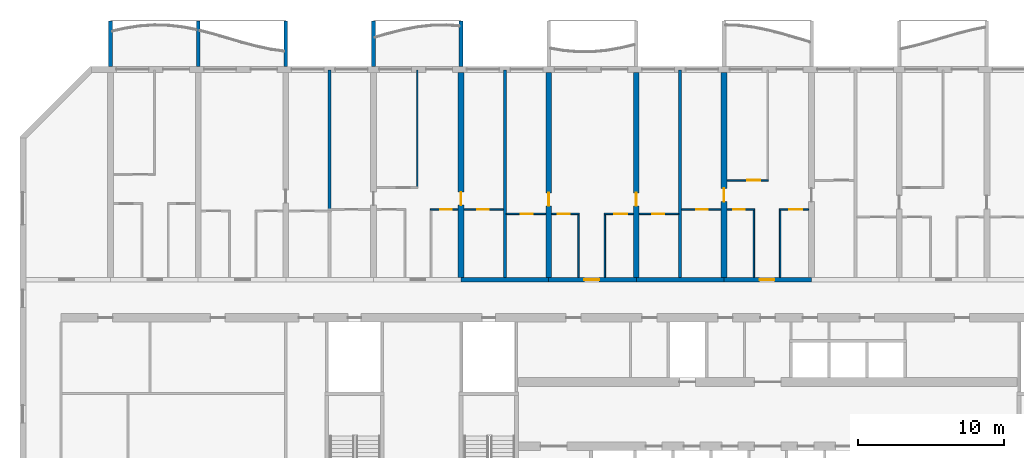
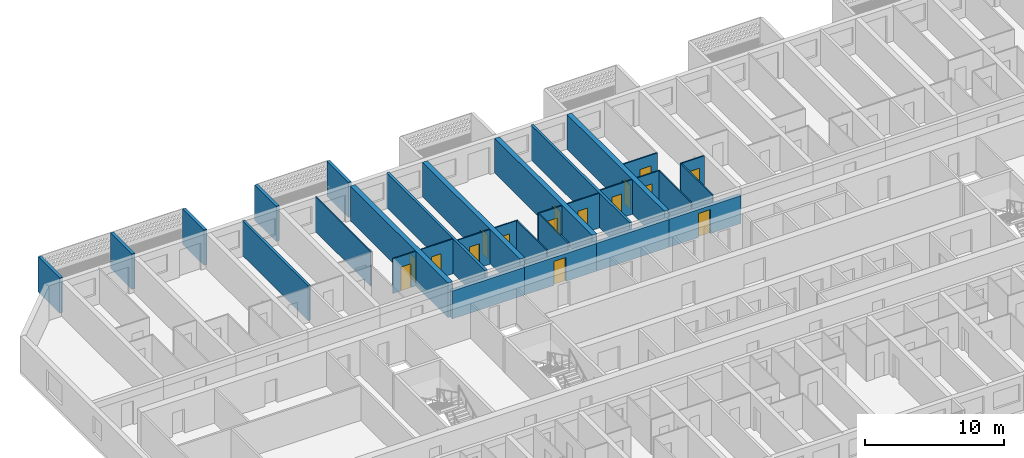
# One storey, part 11 of 40: 31 walls, 16 doors, 16 openings.
"""IFC4 building model written with IfcOpenShell, lengths in metres."""

import ifcopenshell
import ifcopenshell.guid

model = None  # the IFC model being written
_history = None  # IfcOwnerHistory: only IFC2X3 demands one
_inside = {}  # id of a spatial element -> (the spatial element, [elements in it])
_under = {}  # id of a project, library or spatial element -> (it, [spatial elements below it])
_declared = {}  # id of a project -> (the project, [libraries it declares])
_typed = {}  # id of a type object -> (the type object, [elements of that type])
_made_of = {}  # id of a material, layer set ... -> (it, [elements and type objects made of it])


def new_model(schema):
    """Start an empty IFC model of exactly this schema.

    Asked for "IFC4X3", IfcOpenShell would pick the latest addendum, in which some entities
    have other attributes; the version numbers below select the first issue.
    IFC2X3 requires an IfcOwnerHistory on every rooted entity: one is made here for all.
    """
    global model, _history
    if schema == "IFC4X3":
        model = ifcopenshell.file(schema_version=(4, 3, 0, 0))
    else:
        model = ifcopenshell.file(schema=schema)
    _inside.clear()
    _under.clear()
    _declared.clear()
    _typed.clear()
    _made_of.clear()
    _history = None
    if model.schema == "IFC2X3":
        org = make("IfcOrganization", Name="unknown")
        user = make(
            "IfcPersonAndOrganization",
            ThePerson=make("IfcPerson", FamilyName="unknown"),
            TheOrganization=org,
        )
        app = make(
            "IfcApplication",
            ApplicationDeveloper=org,
            Version="unknown",
            ApplicationFullName="unknown",
            ApplicationIdentifier="unknown",
        )
        _history = make(
            "IfcOwnerHistory",
            OwningUser=user,
            OwningApplication=app,
            ChangeAction="ADDED",
            CreationDate=0,
        )
    return model


def make(cls, **values):
    """One entity of the class cls with the attributes given. An attribute that is None is left unset."""
    return model.create_entity(
        cls, **{name: value for name, value in values.items() if value is not None}
    )


def rooted(cls, **values):
    """An entity with a GlobalId (a new one), such as an element, a storey or a relation."""
    return make(cls, GlobalId=ifcopenshell.guid.new(), OwnerHistory=_history, **values)


def si_unit(unit_type, name, prefix=None):
    """IfcSIUnit, for example si_unit("LENGTHUNIT", "METRE", prefix="MILLI")."""
    return make("IfcSIUnit", UnitType=unit_type, Prefix=prefix, Name=name)


def assignment(units):
    """IfcUnitAssignment: the units of a project."""
    return None if units is None else make("IfcUnitAssignment", Units=units)


def point(xyz):
    """IfcCartesianPoint."""
    return None if xyz is None else make("IfcCartesianPoint", Coordinates=xyz)


def direction(xyz):
    """IfcDirection."""
    return None if xyz is None else make("IfcDirection", DirectionRatios=xyz)


def frame(location, z_axis=None, x_axis=None):
    """IfcAxis2Placement3D, a coordinate frame: its origin and axes. An axis left out is left unset."""
    return make(
        "IfcAxis2Placement3D",
        Location=point(location),
        Axis=direction(z_axis),
        RefDirection=direction(x_axis),
    )


def frame_2d(location, x_axis=None):
    """IfcAxis2Placement2D, a coordinate frame in the plane: its origin and x axis."""
    return make(
        "IfcAxis2Placement2D", Location=point(location), RefDirection=direction(x_axis)
    )


def origin():
    """The frame at (0, 0, 0) with its axes left unset."""
    return frame((0.0, 0.0, 0.0))


def place(relative_to, where):
    """IfcLocalPlacement: puts the frame where relative to a parent placement (None: the world)."""
    return make(
        "IfcLocalPlacement", PlacementRelTo=relative_to, RelativePlacement=where
    )


def context(
    kind, dimensions, precision=None, world=None, true_north=None, identifier=None
):
    """IfcGeometricRepresentationContext, for example the 3D "Model" context."""
    return make(
        "IfcGeometricRepresentationContext",
        ContextIdentifier=identifier,
        ContextType=kind,
        CoordinateSpaceDimension=dimensions,
        Precision=precision,
        WorldCoordinateSystem=world,
        TrueNorth=true_north,
    )


def subcontext(parent, identifier, kind, view, scale=None):
    """IfcGeometricRepresentationSubContext, for example "Body" below "Model"."""
    return make(
        "IfcGeometricRepresentationSubContext",
        ContextIdentifier=identifier,
        ContextType=kind,
        ParentContext=parent,
        TargetScale=scale,
        TargetView=view,
    )


def project(units=None, contexts=None):
    """IfcProject with its units and contexts."""
    return rooted(
        "IfcProject",
        Name="project",
        RepresentationContexts=contexts,
        UnitsInContext=assignment(units),
    )


def spatial(cls, under=None, at=None, **own):
    """A site, building, storey or space (cls), placed at a placement, below another one or the project."""
    s = rooted(cls, ObjectPlacement=at, **own)
    if under is not None:
        _under.setdefault(under.id(), (under, []))[1].append(s)
    return s


def polyline(points):
    """IfcPolyline through the points."""
    return make("IfcPolyline", Points=[point(p) for p in points])


def profile(cls, at=None, kind="AREA", **sizes):
    """A parametric profile (cls). Its sizes go by their IFC names, for example OverallWidth=200.0."""
    return make(cls, ProfileType=kind, Position=at, **sizes)


def rectangle(**sizes):
    """IfcRectangleProfileDef."""
    return profile("IfcRectangleProfileDef", **sizes)


def outline(outer, holes=None, kind="AREA"):
    """IfcArbitraryClosedProfileDef: a profile drawn as a closed curve; with holes, ...WithVoids."""
    if holes is None:
        return make("IfcArbitraryClosedProfileDef", ProfileType=kind, OuterCurve=outer)
    return make(
        "IfcArbitraryProfileDefWithVoids",
        ProfileType=kind,
        OuterCurve=outer,
        InnerCurves=holes,
    )


def extrude(swept, where, along, depth):
    """IfcExtrudedAreaSolid: the profile swept, set in the frame where, extruded along a direction by depth."""
    return make(
        "IfcExtrudedAreaSolid",
        SweptArea=swept,
        Position=where,
        ExtrudedDirection=direction(along),
        Depth=depth,
    )


def shape(context_of_items, identifier, shape_type, items):
    """IfcShapeRepresentation: the items that make up one representation, for example the "Body"."""
    return make(
        "IfcShapeRepresentation",
        ContextOfItems=context_of_items,
        RepresentationIdentifier=identifier,
        RepresentationType=shape_type,
        Items=items,
    )


def source(mapping_origin, context_of_items, identifier, shape_type, items):
    """IfcRepresentationMap: a shape defined once, which mapped items show again and again."""
    return make(
        "IfcRepresentationMap",
        MappingOrigin=mapping_origin,
        MappedRepresentation=shape(context_of_items, identifier, shape_type, items),
    )


def transform(
    local_origin,
    x_axis=None,
    y_axis=None,
    z_axis=None,
    scale=None,
    scale2=None,
    scale3=None,
    uniform=True,
):
    """IfcCartesianTransformationOperator3D, or its non-uniform kind. x_axis, y_axis, z_axis: its Axis1, 2, 3."""
    if uniform:
        return make(
            "IfcCartesianTransformationOperator3D",
            Axis1=direction(x_axis),
            Axis2=direction(y_axis),
            LocalOrigin=point(local_origin),
            Scale=scale,
            Axis3=direction(z_axis),
        )
    return make(
        "IfcCartesianTransformationOperator3DnonUniform",
        Axis1=direction(x_axis),
        Axis2=direction(y_axis),
        LocalOrigin=point(local_origin),
        Scale=scale,
        Axis3=direction(z_axis),
        Scale2=scale2,
        Scale3=scale3,
    )


def mapped(mapping_source, mapping_target):
    """IfcMappedItem: shows the shape of a source again, moved by a transform."""
    return make(
        "IfcMappedItem", MappingSource=mapping_source, MappingTarget=mapping_target
    )


def material(Name=None, Category=None):
    """IfcMaterial."""
    return make("IfcMaterial", Name=Name, Category=Category)


def layer(
    of_material, thickness, ventilated=None, Name=None, Category=None, Priority=None
):
    """IfcMaterialLayer: one layer of a wall or slab, of a material (None: an air gap)."""
    return make(
        "IfcMaterialLayer",
        Material=of_material,
        LayerThickness=thickness,
        IsVentilated=ventilated,
        Name=Name,
        Category=Category,
        Priority=Priority,
    )


def layer_set(layers, Name=None):
    """IfcMaterialLayerSet."""
    return make("IfcMaterialLayerSet", MaterialLayers=layers, LayerSetName=Name)


def made_of(thing, what):
    """Note that an element or type object is made of a material, layer set ...; save() writes the relation."""
    if what is not None:
        _made_of.setdefault(what.id(), (what, []))[1].append(thing)
    return thing


def type_object(cls, material=None, **own):
    """A type object (cls), such as IfcWallType, which elements share."""
    return made_of(rooted(cls, **own), material)


def element(
    cls,
    number,
    at=None,
    inside=None,
    cuts=None,
    type_object=None,
    material=None,
    context=None,
    identifier="Body",
    shape_type=None,
    held_by="IfcProductDefinitionShape",
    body=None,
    shapes=None,
    **own,
):
    """One element of the class cls, such as IfcWall. Its Tag is "e" and its number.

    at: its placement. inside: the storey or other place that contains it. cuts: it is an
    opening in that element (IfcRelVoidsElement). A single representation is given by context,
    identifier, shape_type and body (its items); several are given by shapes. held_by: the class
    of the entity that holds the representations. save() writes the other relations.
    """
    e = rooted(cls, Tag="e%d" % number, ObjectPlacement=at, **own)
    if body is not None:
        shapes = [shape(context, identifier, shape_type, body)]
    if shapes is not None:
        e.Representation = make(held_by, Representations=shapes)
    if inside is not None:
        _inside.setdefault(inside.id(), (inside, []))[1].append(e)
    if cuts is not None:
        rooted(
            "IfcRelVoidsElement", RelatingBuildingElement=cuts, RelatedOpeningElement=e
        )
    if type_object is not None:
        _typed.setdefault(type_object.id(), (type_object, []))[1].append(e)
    return made_of(e, material)


def fill(opening, filler):
    """IfcRelFillsElement: the door or window that sits in an opening."""
    return rooted(
        "IfcRelFillsElement",
        RelatingOpeningElement=opening,
        RelatedBuildingElement=filler,
    )


def aggregate(whole, parts):
    """IfcRelAggregates: a whole, such as a stair, and the parts it consists of."""
    return rooted("IfcRelAggregates", RelatingObject=whole, RelatedObjects=parts)


def save(model, path):
    """Write the relations noted so far, then the file.

    IfcRelAggregates (storeys below a building ...), IfcRelContainedInSpatialStructure (elements
    in a storey), IfcRelDefinesByType, IfcRelAssociatesMaterial and IfcRelDeclares: one each for
    every whole, place, type object, material and project.
    """
    for whole, parts in _under.values():
        aggregate(whole, parts)
    for where, things in _inside.values():
        rooted(
            "IfcRelContainedInSpatialStructure",
            RelatedElements=things,
            RelatingStructure=where,
        )
    for kind, things in _typed.values():
        rooted("IfcRelDefinesByType", RelatedObjects=things, RelatingType=kind)
    for what, things in _made_of.values():
        rooted("IfcRelAssociatesMaterial", RelatedObjects=things, RelatingMaterial=what)
    for by, libraries in _declared.values():
        rooted("IfcRelDeclares", RelatingContext=by, RelatedDefinitions=libraries)
    model.write(path)


model = new_model("IFC4")

# Units and contexts
model_context = context("Model", 3, precision=1e-05, world=origin(), true_north=direction((0.0, 1.0)))
body_context = subcontext(model_context, "Body", "Model", "MODEL_VIEW")
ifc_project = project(units=[si_unit("LENGTHUNIT", "METRE"), si_unit("AREAUNIT", "SQUARE_METRE"), si_unit("VOLUMEUNIT", "CUBIC_METRE"), si_unit("PLANEANGLEUNIT", "RADIAN"), si_unit("MASSUNIT", "GRAM", prefix="KILO")], contexts=[model_context])

# Site, building, storey
site_placement = place(None, origin())
site = spatial("IfcSite", under=ifc_project, at=site_placement, CompositionType="ELEMENT")
building_placement = place(site_placement, origin())
building = spatial("IfcBuilding", under=site, at=building_placement, Name="Poui Terraces", CompositionType="ELEMENT")
storey_placement = place(building_placement, frame((0.0, 0.0, 36.60009765625)))
storey = spatial("IfcBuildingStorey", under=building, at=storey_placement, Name="L09", CompositionType="ELEMENT", Elevation=36.60009765625)

# Wall
ifc_material_1 = material(Name="Concrete 80 MPa", Category="concrete")
ifc_layer_1 = layer(ifc_material_1, 0.300048828125)
ifc_layer_set_1 = layer_set([ifc_layer_1], Name="Concrete 80 MPa")
wall_type_1 = type_object("IfcWallType", Name="CORRIDOR WALL 300 80MPa", PredefinedType="SHEAR", material=ifc_layer_set_1)
wall_1_placement = place(storey_placement, frame((30.0, 30.39990234375, 0.0), z_axis=(0.0, 0.0, 1.0), x_axis=(1.0, 0.0, 0.0)))
element("IfcWall", 1, at=wall_1_placement, inside=storey, type_object=wall_type_1, Name="CORRIDOR WALL LINE E BAY 6", PredefinedType="SHEAR", context=body_context, shape_type="SweptSolid", body=[
    extrude(rectangle(XDim=6.0, YDim=0.300048828125, at=frame_2d((3.0, 0.0))), origin(), (0.0, 0.0, 1.0), 2.449951171875),
])

# Wall, opening, door
wall_2_placement = place(storey_placement, frame((36.0, 30.39990234375, 0.0), z_axis=(0.0, 0.0, 1.0), x_axis=(1.0, 0.0, 0.0)))
wall_2 = element("IfcWall", 2, at=wall_2_placement, inside=storey, type_object=wall_type_1, Name="CORRIDOR WALL LINE E BAY 7", PredefinedType="SHEAR", context=body_context, shape_type="SweptSolid", body=[
    extrude(rectangle(XDim=6.0, YDim=0.300048828125, at=frame_2d((3.0, 0.0))), origin(), (0.0, 0.0, 1.0), 2.449951171875),
])
opening_1_placement = place(wall_2_placement, frame((2.449951171875, 0.0, 0.0)))
opening_1 = element("IfcOpeningElement", 3, at=opening_1_placement, cuts=wall_2, Name="Opening FD30S", PredefinedType="OPENING", context=body_context, shape_type="SweptSolid", body=[
    extrude(rectangle(XDim=1.0, YDim=2.10009765625, at=frame_2d((0.5, 1.050048828125))), frame((0.0, 0.16015625, 0.0), z_axis=(0.0, -1.0, 0.0), x_axis=(1.0, 0.0, 0.0)), (0.0, 0.0, 1.0), 0.320068359375),
])
ifc_material_2 = material(Name="Steel fire door", Category="steel")
door_type_1 = type_object("IfcDoorType", Name="FLAT ENTRANCE DOOR 1000 X 2100", OperationType="NOTDEFINED", PredefinedType="DOOR", material=ifc_material_2)
door_1_placement = place(opening_1_placement, origin())
door_1 = element("IfcDoor", 4, at=door_1_placement, inside=storey, type_object=door_type_1, Name="FLAT ENTRANCE DOOR 052", OperationType="SINGLE_SWING_LEFT", OverallHeight=2.10009765625, OverallWidth=1.0, PredefinedType="DOOR", context=body_context, shape_type="SweptSolid", body=[
    extrude(rectangle(XDim=1.0, YDim=2.10009765625, at=frame_2d((0.5, 1.050048828125))), frame((0.0, 0.02490234375, 0.0), z_axis=(0.0, -1.0, 0.0), x_axis=(1.0, 0.0, 0.0)), (0.0, 0.0, 1.0), 0.050048828125),
])
fill(opening_1, door_1)

# Wall
wall_3_placement = place(storey_placement, frame((42.0, 30.39990234375, 0.0), z_axis=(0.0, 0.0, 1.0), x_axis=(1.0, 0.0, 0.0)))
element("IfcWall", 5, at=wall_3_placement, inside=storey, type_object=wall_type_1, Name="CORRIDOR WALL LINE E BAY 8", PredefinedType="SHEAR", context=body_context, shape_type="SweptSolid", body=[
    extrude(rectangle(XDim=6.0, YDim=0.300048828125, at=frame_2d((3.0, 0.0))), origin(), (0.0, 0.0, 1.0), 2.449951171875),
])

# Wall, opening, door
wall_4_placement = place(storey_placement, frame((48.0, 30.39990234375, 0.0), z_axis=(0.0, 0.0, 1.0), x_axis=(1.0, 0.0, 0.0)))
wall_4 = element("IfcWall", 6, at=wall_4_placement, inside=storey, type_object=wall_type_1, Name="CORRIDOR WALL LINE E BAY 9", PredefinedType="SHEAR", context=body_context, shape_type="SweptSolid", body=[
    extrude(rectangle(XDim=6.0, YDim=0.300048828125, at=frame_2d((3.0, 0.0))), origin(), (0.0, 0.0, 1.0), 2.449951171875),
])
opening_2_placement = place(wall_4_placement, frame((2.449951171875, 0.0, 0.0)))
opening_2 = element("IfcOpeningElement", 7, at=opening_2_placement, cuts=wall_4, Name="Opening FD30S", PredefinedType="OPENING", context=body_context, shape_type="SweptSolid", body=[
    extrude(rectangle(XDim=1.0, YDim=2.10009765625, at=frame_2d((0.5, 1.050048828125))), frame((0.0, 0.16015625, 0.0), z_axis=(0.0, -1.0, 0.0), x_axis=(1.0, 0.0, 0.0)), (0.0, 0.0, 1.0), 0.320068359375),
])
door_2_placement = place(opening_2_placement, origin())
door_2 = element("IfcDoor", 8, at=door_2_placement, inside=storey, type_object=door_type_1, Name="FLAT ENTRANCE DOOR 060", OperationType="SINGLE_SWING_LEFT", OverallHeight=2.10009765625, OverallWidth=1.0, PredefinedType="DOOR", context=body_context, shape_type="SweptSolid", body=[
    extrude(rectangle(XDim=1.0, YDim=2.10009765625, at=frame_2d((0.5, 1.050048828125))), frame((0.0, 0.02490234375, 0.0), z_axis=(0.0, -1.0, 0.0), x_axis=(1.0, 0.0, 0.0)), (0.0, 0.0, 1.0), 0.050048828125),
])
fill(opening_2, door_2)

ifc_layer_2 = layer(ifc_material_1, 0.39990234375)
ifc_layer_set_2 = layer_set([ifc_layer_2], Name="Concrete 80 MPa")
wall_type_2 = type_object("IfcWallType", Name="CROSS WALL 400 80MPa", PredefinedType="SHEAR", material=ifc_layer_set_2)
wall_5_placement = place(storey_placement, frame((30.0, 30.550048828125, 0.0), z_axis=(0.0, 0.0, 1.0), x_axis=(0.0, 1.0, 0.0)))
wall_5 = element("IfcWall", 9, at=wall_5_placement, inside=storey, type_object=wall_type_2, Name="CROSS WALL LINE 6 NORTH", PredefinedType="SHEAR", context=body_context, shape_type="SweptSolid", body=[
    extrude(rectangle(XDim=14.050048828125, YDim=0.39990234375, at=frame_2d((7.02490234375, 0.0))), origin(), (0.0, 0.0, 1.0), 3.0498046875),
])
opening_3_placement = place(wall_5_placement, frame((4.949951171875, 0.0, 0.0)))
opening_3 = element("IfcOpeningElement", 10, at=opening_3_placement, cuts=wall_5, Name="Opening D90", PredefinedType="OPENING", context=body_context, shape_type="SweptSolid", body=[
    extrude(rectangle(XDim=0.89990234375, YDim=2.10009765625, at=frame_2d((0.449951171875, 1.050048828125))), frame((0.0, 0.2099609375, 0.0), z_axis=(0.0, -1.0, 0.0), x_axis=(1.0, 0.0, 0.0)), (0.0, 0.0, 1.0), 0.419921875),
])
ifc_material_3 = material(Name="Solid core timber door", Category="wood")
door_type_2 = type_object("IfcDoorType", Name="INTERNAL DOOR 900 X 2100", OperationType="NOTDEFINED", PredefinedType="DOOR", material=ifc_material_3)
door_3_placement = place(opening_3_placement, frame((0.89990234375, 0.0, 0.0), z_axis=(0.0, 0.0, 1.0), x_axis=(-1.0, 0.0, 0.0)))
door_3 = element("IfcDoor", 11, at=door_3_placement, inside=storey, type_object=door_type_2, Name="INTERNAL DOOR 047", OperationType="SINGLE_SWING_RIGHT", OverallHeight=2.10009765625, OverallWidth=0.89990234375, PredefinedType="DOOR", context=body_context, shape_type="SweptSolid", body=[
    extrude(rectangle(XDim=0.89990234375, YDim=2.10009765625, at=frame_2d((0.449951171875, 1.050048828125))), frame((0.0, 0.02490234375, 0.0), z_axis=(0.0, -1.0, 0.0), x_axis=(1.0, 0.0, 0.0)), (0.0, 0.0, 1.0), 0.050048828125),
])
fill(opening_3, door_3)

wall_6_placement = place(storey_placement, frame((36.0, 30.550048828125, 0.0), z_axis=(0.0, 0.0, 1.0), x_axis=(0.0, 1.0, 0.0)))
wall_6 = element("IfcWall", 12, at=wall_6_placement, inside=storey, type_object=wall_type_2, Name="CROSS WALL LINE 7 NORTH", PredefinedType="SHEAR", context=body_context, shape_type="SweptSolid", body=[
    extrude(rectangle(XDim=14.050048828125, YDim=0.39990234375, at=frame_2d((7.02490234375, 0.0))), origin(), (0.0, 0.0, 1.0), 3.0498046875),
])
opening_4_placement = place(wall_6_placement, frame((4.89990234375, 0.0, 0.0)))
opening_4 = element("IfcOpeningElement", 13, at=opening_4_placement, cuts=wall_6, Name="Opening D90", PredefinedType="OPENING", context=body_context, shape_type="SweptSolid", body=[
    extrude(rectangle(XDim=0.89990234375, YDim=2.10009765625, at=frame_2d((0.449951171875, 1.050048828125))), frame((0.0, 0.2099609375, 0.0), z_axis=(0.0, -1.0, 0.0), x_axis=(1.0, 0.0, 0.0)), (0.0, 0.0, 1.0), 0.419921875),
])
door_4_placement = place(opening_4_placement, origin())
door_4 = element("IfcDoor", 14, at=door_4_placement, inside=storey, type_object=door_type_2, Name="INTERNAL DOOR 050", OperationType="SINGLE_SWING_LEFT", OverallHeight=2.10009765625, OverallWidth=0.89990234375, PredefinedType="DOOR", context=body_context, shape_type="SweptSolid", body=[
    extrude(rectangle(XDim=0.89990234375, YDim=2.10009765625, at=frame_2d((0.449951171875, 1.050048828125))), frame((0.0, 0.02490234375, 0.0), z_axis=(0.0, -1.0, 0.0), x_axis=(1.0, 0.0, 0.0)), (0.0, 0.0, 1.0), 0.050048828125),
])
fill(opening_4, door_4)

wall_7_placement = place(storey_placement, frame((42.0, 30.550048828125, 0.0), z_axis=(0.0, 0.0, 1.0), x_axis=(0.0, 1.0, 0.0)))
wall_7 = element("IfcWall", 15, at=wall_7_placement, inside=storey, type_object=wall_type_2, Name="CROSS WALL LINE 8 NORTH", PredefinedType="SHEAR", context=body_context, shape_type="SweptSolid", body=[
    extrude(rectangle(XDim=14.050048828125, YDim=0.39990234375, at=frame_2d((7.02490234375, 0.0))), origin(), (0.0, 0.0, 1.0), 3.0498046875),
])
opening_5_placement = place(wall_7_placement, frame((4.89990234375, 0.0, 0.0)))
opening_5 = element("IfcOpeningElement", 16, at=opening_5_placement, cuts=wall_7, Name="Opening D90", PredefinedType="OPENING", context=body_context, shape_type="SweptSolid", body=[
    extrude(rectangle(XDim=0.89990234375, YDim=2.10009765625, at=frame_2d((0.449951171875, 1.050048828125))), frame((0.0, 0.2099609375, 0.0), z_axis=(0.0, -1.0, 0.0), x_axis=(1.0, 0.0, 0.0)), (0.0, 0.0, 1.0), 0.419921875),
])
door_5_placement = place(opening_5_placement, frame((0.89990234375, 0.0, 0.0), z_axis=(0.0, 0.0, 1.0), x_axis=(-1.0, 0.0, 0.0)))
door_5 = element("IfcDoor", 17, at=door_5_placement, inside=storey, type_object=door_type_2, Name="INTERNAL DOOR 054", OperationType="SINGLE_SWING_RIGHT", OverallHeight=2.10009765625, OverallWidth=0.89990234375, PredefinedType="DOOR", context=body_context, shape_type="SweptSolid", body=[
    extrude(rectangle(XDim=0.89990234375, YDim=2.10009765625, at=frame_2d((0.449951171875, 1.050048828125))), frame((0.0, 0.02490234375, 0.0), z_axis=(0.0, -1.0, 0.0), x_axis=(1.0, 0.0, 0.0)), (0.0, 0.0, 1.0), 0.050048828125),
])
fill(opening_5, door_5)

wall_8_placement = place(storey_placement, frame((48.0, 30.550048828125, 0.0), z_axis=(0.0, 0.0, 1.0), x_axis=(0.0, 1.0, 0.0)))
wall_8 = element("IfcWall", 18, at=wall_8_placement, inside=storey, type_object=wall_type_2, Name="CROSS WALL LINE 9 NORTH", PredefinedType="SHEAR", context=body_context, shape_type="SweptSolid", body=[
    extrude(rectangle(XDim=14.050048828125, YDim=0.39990234375, at=frame_2d((7.02490234375, 0.0))), origin(), (0.0, 0.0, 1.0), 3.0498046875),
])
opening_6_placement = place(wall_8_placement, frame((5.199951171875, 0.0, 0.0)))
opening_6 = element("IfcOpeningElement", 19, at=opening_6_placement, cuts=wall_8, Name="Opening D90", PredefinedType="OPENING", context=body_context, shape_type="SweptSolid", body=[
    extrude(rectangle(XDim=0.89990234375, YDim=2.10009765625, at=frame_2d((0.449951171875, 1.050048828125))), frame((0.0, 0.2099609375, 0.0), z_axis=(0.0, -1.0, 0.0), x_axis=(1.0, 0.0, 0.0)), (0.0, 0.0, 1.0), 0.419921875),
])
door_6_placement = place(opening_6_placement, origin())
door_6 = element("IfcDoor", 20, at=door_6_placement, inside=storey, type_object=door_type_2, Name="INTERNAL DOOR 057", OperationType="SINGLE_SWING_LEFT", OverallHeight=2.10009765625, OverallWidth=0.89990234375, PredefinedType="DOOR", context=body_context, shape_type="SweptSolid", body=[
    extrude(rectangle(XDim=0.89990234375, YDim=2.10009765625, at=frame_2d((0.449951171875, 1.050048828125))), frame((0.0, 0.02490234375, 0.0), z_axis=(0.0, -1.0, 0.0), x_axis=(1.0, 0.0, 0.0)), (0.0, 0.0, 1.0), 0.050048828125),
])
fill(opening_6, door_6)

ifc_material_4 = material(Name="Plasterboard partition")
ifc_layer_3 = layer(ifc_material_4, 0.10009765625)
ifc_layer_set_3 = layer_set([ifc_layer_3], Name="Plasterboard partition")
wall_type_3 = type_object("IfcWallType", Name="FLAT PARTITION 100", PredefinedType="PARTITIONING", material=ifc_layer_set_3)
wall_9_placement = place(storey_placement, frame((33.10009765625, 34.89990234375, 0.0), z_axis=(0.0, 0.0, 1.0), x_axis=(1.0, 0.0, 0.0)))
wall_9 = element("IfcWall", 21, at=wall_9_placement, inside=storey, type_object=wall_type_3, Name="FLAT PARTITION 100", PredefinedType="PARTITIONING", context=body_context, shape_type="SweptSolid", body=[
    extrude(rectangle(XDim=2.68994140625, YDim=0.10009765625, at=frame_2d((1.344970703125, 0.0))), origin(), (0.0, 0.0, 1.0), 3.0498046875),
])
opening_7_placement = place(wall_9_placement, frame((1.0, 0.0, 0.0)))
opening_7 = element("IfcOpeningElement", 22, at=opening_7_placement, cuts=wall_9, Name="Opening D80", PredefinedType="OPENING", context=body_context, shape_type="SweptSolid", body=[
    extrude(rectangle(XDim=0.800048828125, YDim=2.10009765625, at=frame_2d((0.39990234375, 1.050048828125))), frame((0.0, 0.06005859375, 0.0), z_axis=(0.0, -1.0, 0.0), x_axis=(1.0, 0.0, 0.0)), (0.0, 0.0, 1.0), 0.1201171875),
])
door_type_3 = type_object("IfcDoorType", Name="BATHROOM, LAUNDRY AND STORE DOOR 800 X 2100", OperationType="NOTDEFINED", PredefinedType="DOOR", material=ifc_material_3)
door_7_placement = place(opening_7_placement, frame((0.800048828125, 0.0, 0.0), z_axis=(0.0, 0.0, 1.0), x_axis=(-1.0, 0.0, 0.0)))
door_7 = element("IfcDoor", 23, at=door_7_placement, inside=storey, type_object=door_type_3, Name="BATHROOM, LAUNDRY AND STORE DOOR 048", OperationType="SINGLE_SWING_RIGHT", OverallHeight=2.10009765625, OverallWidth=0.800048828125, PredefinedType="DOOR", context=body_context, shape_type="SweptSolid", body=[
    extrude(rectangle(XDim=0.800048828125, YDim=2.10009765625, at=frame_2d((0.39990234375, 1.050048828125))), frame((0.0, 0.02490234375, 0.0), z_axis=(0.0, -1.0, 0.0), x_axis=(1.0, 0.0, 0.0)), (0.0, 0.0, 1.0), 0.050048828125),
])
fill(opening_7, door_7)

wall_10_placement = place(storey_placement, frame((36.2099609375, 34.89990234375, 0.0), z_axis=(0.0, 0.0, 1.0), x_axis=(1.0, 0.0, 0.0)))
wall_10 = element("IfcWall", 24, at=wall_10_placement, inside=storey, type_object=wall_type_3, Name="FLAT PARTITION 100", PredefinedType="PARTITIONING", context=body_context, shape_type="SweptSolid", body=[
    extrude(rectangle(XDim=1.89013671875, YDim=0.10009765625, at=frame_2d((0.945068359375, 0.0))), origin(), (0.0, 0.0, 1.0), 3.0498046875),
])
opening_8_placement = place(wall_10_placement, frame((0.4150390625, 0.0, 0.0)))
opening_8 = element("IfcOpeningElement", 25, at=opening_8_placement, cuts=wall_10, Name="Opening D80", PredefinedType="OPENING", context=body_context, shape_type="SweptSolid", body=[
    extrude(rectangle(XDim=0.800048828125, YDim=2.10009765625, at=frame_2d((0.39990234375, 1.050048828125))), frame((0.0, 0.06005859375, 0.0), z_axis=(0.0, -1.0, 0.0), x_axis=(1.0, 0.0, 0.0)), (0.0, 0.0, 1.0), 0.1201171875),
])
door_8_placement = place(opening_8_placement, frame((0.800048828125, 0.0, 0.0), z_axis=(0.0, 0.0, 1.0), x_axis=(-1.0, 0.0, 0.0)))
door_8 = element("IfcDoor", 26, at=door_8_placement, inside=storey, type_object=door_type_3, Name="BATHROOM, LAUNDRY AND STORE DOOR 051", OperationType="SINGLE_SWING_LEFT", OverallHeight=2.10009765625, OverallWidth=0.800048828125, PredefinedType="DOOR", context=body_context, shape_type="SweptSolid", body=[
    extrude(rectangle(XDim=0.800048828125, YDim=2.10009765625, at=frame_2d((0.39990234375, 1.050048828125))), frame((0.0, 0.02490234375, 0.0), z_axis=(0.0, -1.0, 0.0), x_axis=(1.0, 0.0, 0.0)), (0.0, 0.0, 1.0), 0.050048828125),
])
fill(opening_8, door_8)

wall_11_placement = place(storey_placement, frame((39.800048828125, 34.89990234375, 0.0), z_axis=(0.0, 0.0, 1.0), x_axis=(1.0, 0.0, 0.0)))
wall_11 = element("IfcWall", 27, at=wall_11_placement, inside=storey, type_object=wall_type_3, Name="FLAT PARTITION 100", PredefinedType="PARTITIONING", context=body_context, shape_type="SweptSolid", body=[
    extrude(rectangle(XDim=1.989990234375, YDim=0.10009765625, at=frame_2d((0.9951171875, 0.0))), origin(), (0.0, 0.0, 1.0), 3.0498046875),
])
opening_9_placement = place(wall_11_placement, frame((0.675048828125, 0.0, 0.0)))
opening_9 = element("IfcOpeningElement", 28, at=opening_9_placement, cuts=wall_11, Name="Opening D90", PredefinedType="OPENING", context=body_context, shape_type="SweptSolid", body=[
    extrude(rectangle(XDim=0.89990234375, YDim=2.10009765625, at=frame_2d((0.449951171875, 1.050048828125))), frame((0.0, 0.06005859375, 0.0), z_axis=(0.0, -1.0, 0.0), x_axis=(1.0, 0.0, 0.0)), (0.0, 0.0, 1.0), 0.1201171875),
])
door_9_placement = place(opening_9_placement, frame((0.89990234375, 0.0, 0.0), z_axis=(0.0, 0.0, 1.0), x_axis=(-1.0, 0.0, 0.0)))
door_9 = element("IfcDoor", 29, at=door_9_placement, inside=storey, type_object=door_type_2, Name="INTERNAL DOOR 053", OperationType="SINGLE_SWING_RIGHT", OverallHeight=2.10009765625, OverallWidth=0.89990234375, PredefinedType="DOOR", context=body_context, shape_type="SweptSolid", body=[
    extrude(rectangle(XDim=0.89990234375, YDim=2.10009765625, at=frame_2d((0.449951171875, 1.050048828125))), frame((0.0, 0.02490234375, 0.0), z_axis=(0.0, -1.0, 0.0), x_axis=(1.0, 0.0, 0.0)), (0.0, 0.0, 1.0), 0.050048828125),
])
fill(opening_9, door_9)

wall_12_placement = place(storey_placement, frame((42.2099609375, 34.89990234375, 0.0), z_axis=(0.0, 0.0, 1.0), x_axis=(1.0, 0.0, 0.0)))
wall_12 = element("IfcWall", 30, at=wall_12_placement, inside=storey, type_object=wall_type_3, Name="FLAT PARTITION 100", PredefinedType="PARTITIONING", context=body_context, shape_type="SweptSolid", body=[
    extrude(rectangle(XDim=2.68994140625, YDim=0.10009765625, at=frame_2d((1.344970703125, 0.0))), origin(), (0.0, 0.0, 1.0), 3.0498046875),
])
opening_10_placement = place(wall_12_placement, frame((0.889892578125, 0.0, 0.0)))
opening_10 = element("IfcOpeningElement", 31, at=opening_10_placement, cuts=wall_12, Name="Opening D80", PredefinedType="OPENING", context=body_context, shape_type="SweptSolid", body=[
    extrude(rectangle(XDim=0.800048828125, YDim=2.10009765625, at=frame_2d((0.39990234375, 1.050048828125))), frame((0.0, 0.06005859375, 0.0), z_axis=(0.0, -1.0, 0.0), x_axis=(1.0, 0.0, 0.0)), (0.0, 0.0, 1.0), 0.1201171875),
])
door_10_placement = place(opening_10_placement, frame((0.800048828125, 0.0, 0.0), z_axis=(0.0, 0.0, 1.0), x_axis=(-1.0, 0.0, 0.0)))
door_10 = element("IfcDoor", 32, at=door_10_placement, inside=storey, type_object=door_type_3, Name="BATHROOM, LAUNDRY AND STORE DOOR 049", OperationType="SINGLE_SWING_RIGHT", OverallHeight=2.10009765625, OverallWidth=0.800048828125, PredefinedType="DOOR", context=body_context, shape_type="SweptSolid", body=[
    extrude(rectangle(XDim=0.800048828125, YDim=2.10009765625, at=frame_2d((0.39990234375, 1.050048828125))), frame((0.0, 0.02490234375, 0.0), z_axis=(0.0, -1.0, 0.0), x_axis=(1.0, 0.0, 0.0)), (0.0, 0.0, 1.0), 0.050048828125),
])
fill(opening_10, door_10)

wall_13_placement = place(storey_placement, frame((27.89990234375, 35.199951171875, 0.0), z_axis=(0.0, 0.0, 1.0), x_axis=(1.0, 0.0, 0.0)))
wall_13 = element("IfcWall", 33, at=wall_13_placement, inside=storey, type_object=wall_type_3, Name="FLAT PARTITION 100", PredefinedType="PARTITIONING", context=body_context, shape_type="SweptSolid", body=[
    extrude(rectangle(XDim=1.89013671875, YDim=0.10009765625, at=frame_2d((0.945068359375, 0.0))), origin(), (0.0, 0.0, 1.0), 3.0498046875),
])
opening_11_placement = place(wall_13_placement, frame((0.675048828125, 0.0, 0.0)))
opening_11 = element("IfcOpeningElement", 34, at=opening_11_placement, cuts=wall_13, Name="Opening D80", PredefinedType="OPENING", context=body_context, shape_type="SweptSolid", body=[
    extrude(rectangle(XDim=0.800048828125, YDim=2.10009765625, at=frame_2d((0.39990234375, 1.050048828125))), frame((0.0, 0.06005859375, 0.0), z_axis=(0.0, -1.0, 0.0), x_axis=(1.0, 0.0, 0.0)), (0.0, 0.0, 1.0), 0.1201171875),
])
door_11_placement = place(opening_11_placement, frame((0.800048828125, 0.0, 0.0), z_axis=(0.0, 0.0, 1.0), x_axis=(-1.0, 0.0, 0.0)))
door_11 = element("IfcDoor", 35, at=door_11_placement, inside=storey, type_object=door_type_3, Name="BATHROOM, LAUNDRY AND STORE DOOR 046", OperationType="SINGLE_SWING_RIGHT", OverallHeight=2.10009765625, OverallWidth=0.800048828125, PredefinedType="DOOR", context=body_context, shape_type="SweptSolid", body=[
    extrude(rectangle(XDim=0.800048828125, YDim=2.10009765625, at=frame_2d((0.39990234375, 1.050048828125))), frame((0.0, 0.02490234375, 0.0), z_axis=(0.0, -1.0, 0.0), x_axis=(1.0, 0.0, 0.0)), (0.0, 0.0, 1.0), 0.050048828125),
])
fill(opening_11, door_11)

wall_14_placement = place(storey_placement, frame((30.2099609375, 35.199951171875, 0.0), z_axis=(0.0, 0.0, 1.0), x_axis=(1.0, 0.0, 0.0)))
wall_14 = element("IfcWall", 36, at=wall_14_placement, inside=storey, type_object=wall_type_3, Name="FLAT PARTITION 100", PredefinedType="PARTITIONING", context=body_context, shape_type="SweptSolid", body=[
    extrude(rectangle(XDim=2.68994140625, YDim=0.10009765625, at=frame_2d((1.344970703125, 0.0))), origin(), (0.0, 0.0, 1.0), 3.0498046875),
])
opening_12_placement = place(wall_14_placement, frame((0.889892578125, 0.0, 0.0)))
opening_12 = element("IfcOpeningElement", 37, at=opening_12_placement, cuts=wall_14, Name="Opening D80", PredefinedType="OPENING", context=body_context, shape_type="SweptSolid", body=[
    extrude(rectangle(XDim=0.800048828125, YDim=2.10009765625, at=frame_2d((0.39990234375, 1.050048828125))), frame((0.0, 0.06005859375, 0.0), z_axis=(0.0, -1.0, 0.0), x_axis=(1.0, 0.0, 0.0)), (0.0, 0.0, 1.0), 0.1201171875),
])
door_12_placement = place(opening_12_placement, frame((0.800048828125, 0.0, 0.0), z_axis=(0.0, 0.0, 1.0), x_axis=(-1.0, 0.0, 0.0)))
door_12 = element("IfcDoor", 38, at=door_12_placement, inside=storey, type_object=door_type_3, Name="BATHROOM, LAUNDRY AND STORE DOOR 041", OperationType="SINGLE_SWING_LEFT", OverallHeight=2.10009765625, OverallWidth=0.800048828125, PredefinedType="DOOR", context=body_context, shape_type="SweptSolid", body=[
    extrude(rectangle(XDim=0.800048828125, YDim=2.10009765625, at=frame_2d((0.39990234375, 1.050048828125))), frame((0.0, 0.02490234375, 0.0), z_axis=(0.0, -1.0, 0.0), x_axis=(1.0, 0.0, 0.0)), (0.0, 0.0, 1.0), 0.050048828125),
])
fill(opening_12, door_12)

wall_15_placement = place(storey_placement, frame((45.10009765625, 35.199951171875, 0.0), z_axis=(0.0, 0.0, 1.0), x_axis=(1.0, 0.0, 0.0)))
wall_15 = element("IfcWall", 39, at=wall_15_placement, inside=storey, type_object=wall_type_3, Name="FLAT PARTITION 100", PredefinedType="PARTITIONING", context=body_context, shape_type="SweptSolid", body=[
    extrude(rectangle(XDim=2.68994140625, YDim=0.10009765625, at=frame_2d((1.344970703125, 0.0))), origin(), (0.0, 0.0, 1.0), 3.0498046875),
])
opening_13_placement = place(wall_15_placement, frame((1.0, 0.0, 0.0)))
opening_13 = element("IfcOpeningElement", 40, at=opening_13_placement, cuts=wall_15, Name="Opening D80", PredefinedType="OPENING", context=body_context, shape_type="SweptSolid", body=[
    extrude(rectangle(XDim=0.800048828125, YDim=2.10009765625, at=frame_2d((0.39990234375, 1.050048828125))), frame((0.0, 0.06005859375, 0.0), z_axis=(0.0, -1.0, 0.0), x_axis=(1.0, 0.0, 0.0)), (0.0, 0.0, 1.0), 0.1201171875),
])
door_13_placement = place(opening_13_placement, frame((0.800048828125, 0.0, 0.0), z_axis=(0.0, 0.0, 1.0), x_axis=(-1.0, 0.0, 0.0)))
door_13 = element("IfcDoor", 41, at=door_13_placement, inside=storey, type_object=door_type_3, Name="BATHROOM, LAUNDRY AND STORE DOOR 055", OperationType="SINGLE_SWING_LEFT", OverallHeight=2.10009765625, OverallWidth=0.800048828125, PredefinedType="DOOR", context=body_context, shape_type="SweptSolid", body=[
    extrude(rectangle(XDim=0.800048828125, YDim=2.10009765625, at=frame_2d((0.39990234375, 1.050048828125))), frame((0.0, 0.02490234375, 0.0), z_axis=(0.0, -1.0, 0.0), x_axis=(1.0, 0.0, 0.0)), (0.0, 0.0, 1.0), 0.050048828125),
])
fill(opening_13, door_13)

wall_16_placement = place(storey_placement, frame((48.2099609375, 35.199951171875, 0.0), z_axis=(0.0, 0.0, 1.0), x_axis=(1.0, 0.0, 0.0)))
wall_16 = element("IfcWall", 42, at=wall_16_placement, inside=storey, type_object=wall_type_3, Name="FLAT PARTITION 100", PredefinedType="PARTITIONING", context=body_context, shape_type="SweptSolid", body=[
    extrude(rectangle(XDim=1.89013671875, YDim=0.10009765625, at=frame_2d((0.945068359375, 0.0))), origin(), (0.0, 0.0, 1.0), 3.0498046875),
])
opening_14_placement = place(wall_16_placement, frame((0.4150390625, 0.0, 0.0)))
opening_14 = element("IfcOpeningElement", 43, at=opening_14_placement, cuts=wall_16, Name="Opening D80", PredefinedType="OPENING", context=body_context, shape_type="SweptSolid", body=[
    extrude(rectangle(XDim=0.800048828125, YDim=2.10009765625, at=frame_2d((0.39990234375, 1.050048828125))), frame((0.0, 0.06005859375, 0.0), z_axis=(0.0, -1.0, 0.0), x_axis=(1.0, 0.0, 0.0)), (0.0, 0.0, 1.0), 0.1201171875),
])
door_14_placement = place(opening_14_placement, frame((0.800048828125, 0.0, 0.0), z_axis=(0.0, 0.0, 1.0), x_axis=(-1.0, 0.0, 0.0)))
door_14 = element("IfcDoor", 44, at=door_14_placement, inside=storey, type_object=door_type_3, Name="BATHROOM, LAUNDRY AND STORE DOOR 058", OperationType="SINGLE_SWING_LEFT", OverallHeight=2.10009765625, OverallWidth=0.800048828125, PredefinedType="DOOR", context=body_context, shape_type="SweptSolid", body=[
    extrude(rectangle(XDim=0.800048828125, YDim=2.10009765625, at=frame_2d((0.39990234375, 1.050048828125))), frame((0.0, 0.02490234375, 0.0), z_axis=(0.0, -1.0, 0.0), x_axis=(1.0, 0.0, 0.0)), (0.0, 0.0, 1.0), 0.050048828125),
])
fill(opening_14, door_14)

wall_17_placement = place(storey_placement, frame((51.800048828125, 35.199951171875, 0.0), z_axis=(0.0, 0.0, 1.0), x_axis=(1.0, 0.0, 0.0)))
wall_17 = element("IfcWall", 45, at=wall_17_placement, inside=storey, type_object=wall_type_3, Name="FLAT PARTITION 100", PredefinedType="PARTITIONING", context=body_context, shape_type="SweptSolid", body=[
    extrude(rectangle(XDim=1.989990234375, YDim=0.10009765625, at=frame_2d((0.9951171875, 0.0))), origin(), (0.0, 0.0, 1.0), 3.0498046875),
])
opening_15_placement = place(wall_17_placement, frame((0.675048828125, 0.0, 0.0)))
opening_15 = element("IfcOpeningElement", 46, at=opening_15_placement, cuts=wall_17, Name="Opening D90", PredefinedType="OPENING", context=body_context, shape_type="SweptSolid", body=[
    extrude(rectangle(XDim=0.89990234375, YDim=2.10009765625, at=frame_2d((0.449951171875, 1.050048828125))), frame((0.0, 0.06005859375, 0.0), z_axis=(0.0, -1.0, 0.0), x_axis=(1.0, 0.0, 0.0)), (0.0, 0.0, 1.0), 0.1201171875),
])
door_15_placement = place(opening_15_placement, frame((0.89990234375, 0.0, 0.0), z_axis=(0.0, 0.0, 1.0), x_axis=(-1.0, 0.0, 0.0)))
door_15 = element("IfcDoor", 47, at=door_15_placement, inside=storey, type_object=door_type_2, Name="INTERNAL DOOR 061", OperationType="SINGLE_SWING_RIGHT", OverallHeight=2.10009765625, OverallWidth=0.89990234375, PredefinedType="DOOR", context=body_context, shape_type="SweptSolid", body=[
    extrude(rectangle(XDim=0.89990234375, YDim=2.10009765625, at=frame_2d((0.449951171875, 1.050048828125))), frame((0.0, 0.02490234375, 0.0), z_axis=(0.0, -1.0, 0.0), x_axis=(1.0, 0.0, 0.0)), (0.0, 0.0, 1.0), 0.050048828125),
])
fill(opening_15, door_15)

wall_18_placement = place(storey_placement, frame((48.2099609375, 37.199951171875, 0.0), z_axis=(0.0, 0.0, 1.0), x_axis=(1.0, 0.0, 0.0)))
wall_18 = element("IfcWall", 48, at=wall_18_placement, inside=storey, type_object=wall_type_3, Name="FLAT PARTITION 100", PredefinedType="PARTITIONING", context=body_context, shape_type="SweptSolid", body=[
    extrude(rectangle(XDim=2.840087890625, YDim=0.10009765625, at=frame_2d((1.419921875, 0.0))), origin(), (0.0, 0.0, 1.0), 3.0498046875),
])
opening_16_placement = place(wall_18_placement, frame((1.389892578125, 0.0, 0.0)))
opening_16 = element("IfcOpeningElement", 49, at=opening_16_placement, cuts=wall_18, Name="Opening D90", PredefinedType="OPENING", context=body_context, shape_type="SweptSolid", body=[
    extrude(rectangle(XDim=0.89990234375, YDim=2.10009765625, at=frame_2d((0.449951171875, 1.050048828125))), frame((0.0, 0.06005859375, 0.0), z_axis=(0.0, -1.0, 0.0), x_axis=(1.0, 0.0, 0.0)), (0.0, 0.0, 1.0), 0.1201171875),
])
door_16_placement = place(opening_16_placement, frame((0.89990234375, 0.0, 0.0), z_axis=(0.0, 0.0, 1.0), x_axis=(-1.0, 0.0, 0.0)))
door_16 = element("IfcDoor", 50, at=door_16_placement, inside=storey, type_object=door_type_2, Name="INTERNAL DOOR 059", OperationType="SINGLE_SWING_RIGHT", OverallHeight=2.10009765625, OverallWidth=0.89990234375, PredefinedType="DOOR", context=body_context, shape_type="SweptSolid", body=[
    extrude(rectangle(XDim=0.89990234375, YDim=2.10009765625, at=frame_2d((0.449951171875, 1.050048828125))), frame((0.0, 0.02490234375, 0.0), z_axis=(0.0, -1.0, 0.0), x_axis=(1.0, 0.0, 0.0)), (0.0, 0.0, 1.0), 0.050048828125),
])
fill(opening_16, door_16)

# Walls
wall_19_placement = place(storey_placement, frame((27.0, 36.75, 0.0), z_axis=(0.0, 0.0, 1.0), x_axis=(0.0, 1.0, 0.0)))
element("IfcWall", 51, at=wall_19_placement, inside=storey, type_object=wall_type_3, Name="FLAT PARTITION 100", PredefinedType="PARTITIONING", context=body_context, shape_type="SweptSolid", body=[
    extrude(rectangle(XDim=7.989990234375, YDim=0.10009765625, at=frame_2d((3.9951171875, 0.0))), origin(), (0.0, 0.0, 1.0), 3.0498046875),
])
for number, where, z_axis, x_axis, name in (
    (52, (38.050048828125, 30.56005859375, 0.0), (0.0, 0.0, 1.0), (0.0, 1.0, 0.0), "FLAT PARTITION 100"),
    (53, (39.85009765625, 30.56005859375, 0.0), (0.0, 0.0, 1.0), (0.0, 1.0, 0.0), "FLAT PARTITION 100"),
):
    element("IfcWall", number, at=place(storey_placement, frame(where, z_axis=z_axis, x_axis=x_axis)), inside=storey, type_object=wall_type_3, Name=name, PredefinedType="PARTITIONING", context=body_context, shape_type="SweptSolid", body=[
        extrude(rectangle(XDim=4.2900390625, YDim=0.10009765625, at=frame_2d((2.14501953125, 0.0))), origin(), (0.0, 0.0, 1.0), 3.0498046875),
    ])
for number, where, z_axis, x_axis, name in (
    (54, (50.050048828125, 30.56005859375, 0.0), (0.0, 0.0, 1.0), (0.0, 1.0, 0.0), "FLAT PARTITION 100"),
    (55, (51.85009765625, 30.56005859375, 0.0), (0.0, 0.0, 1.0), (0.0, 1.0, 0.0), "FLAT PARTITION 100"),
):
    element("IfcWall", number, at=place(storey_placement, frame(where, z_axis=z_axis, x_axis=x_axis)), inside=storey, type_object=wall_type_3, Name=name, PredefinedType="PARTITIONING", context=body_context, shape_type="SweptSolid", body=[
        extrude(rectangle(XDim=4.58984375, YDim=0.10009765625, at=frame_2d((2.294921875, 0.0))), origin(), (0.0, 0.0, 1.0), 3.0498046875),
    ])
ifc_material_5 = material(Name="Fire-rated masonry wall", Category="masonry")
ifc_layer_4 = layer(ifc_material_5, 0.199951171875)
ifc_layer_set_4 = layer_set([ifc_layer_4], Name="Fire-rated masonry wall")
wall_type_4 = type_object("IfcWallType", Name="FLAT PARTY WALL 200", PredefinedType="PARTITIONING", material=ifc_layer_set_4)
wall_20_placement = place(storey_placement, frame((21.0, 35.25, 0.0), z_axis=(0.0, 0.0, 1.0), x_axis=(0.0, 1.0, 0.0)))
element("IfcWall", 56, at=wall_20_placement, inside=storey, type_object=wall_type_4, Name="FLAT PARTY WALL 200", PredefinedType="PARTITIONING", context=body_context, shape_type="SweptSolid", body=[
    extrude(rectangle(XDim=9.489990234375, YDim=0.199951171875, at=frame_2d((4.7451171875, 0.0))), origin(), (0.0, 0.0, 1.0), 3.0498046875),
])
for number, where, z_axis, x_axis, name in (
    (57, (33.0, 30.56005859375, 0.0), (0.0, 0.0, 1.0), (0.0, 1.0, 0.0), "FLAT PARTY WALL 200"),
    (58, (45.0, 30.56005859375, 0.0), (0.0, 0.0, 1.0), (0.0, 1.0, 0.0), "FLAT PARTY WALL 200"),
):
    element("IfcWall", number, at=place(storey_placement, frame(where, z_axis=z_axis, x_axis=x_axis)), inside=storey, type_object=wall_type_4, Name=name, PredefinedType="PARTITIONING", context=body_context, shape_type="SweptSolid", body=[
        extrude(rectangle(XDim=14.179931640625, YDim=0.199951171875, at=frame_2d((7.08984375, 0.0))), origin(), (0.0, 0.0, 1.0), 3.0498046875),
    ])
ifc_material_6 = material(Name="Precast concrete 40 MPa", Category="concrete")
ifc_layer_5 = layer(ifc_material_6, 0.25)
ifc_layer_set_5 = layer_set([ifc_layer_5], Name="Precast concrete 40 MPa")
wall_type_5 = type_object("IfcWallType", Name="BALCONY FIN 250", PredefinedType="STANDARD", material=ifc_layer_set_5)
shared_shape = source(origin(), body_context, "Body", "SweptSolid", [
    extrude(outline(polyline([(0.0, 0.0), (0.25, 0.0), (0.25, 3.10009765625), (0.0, 3.10009765625), (0.0, 0.0)])), origin(), (0.0, 0.0, 1.0), 3.099853515625),
])
for number, where, name in (
    (59, (5.875, 45.0, 0.0), "BALCONY FIN"),
    (60, (11.875, 45.0, 0.0), "BALCONY FIN"),
    (61, (17.875, 45.0, 0.0), "BALCONY FIN"),
    (62, (23.875, 45.0, 0.0), "BALCONY FIN"),
    (63, (29.875, 45.0, 0.0), "BALCONY FIN"),
):
    element("IfcWall", number, at=place(storey_placement, frame(where)), inside=storey, type_object=wall_type_5, Name=name, PredefinedType="STANDARD", context=body_context, shape_type="MappedRepresentation", body=[
        mapped(shared_shape, transform((0.0, 0.0, 0.0))),
    ])

save(model, "model.ifc")
